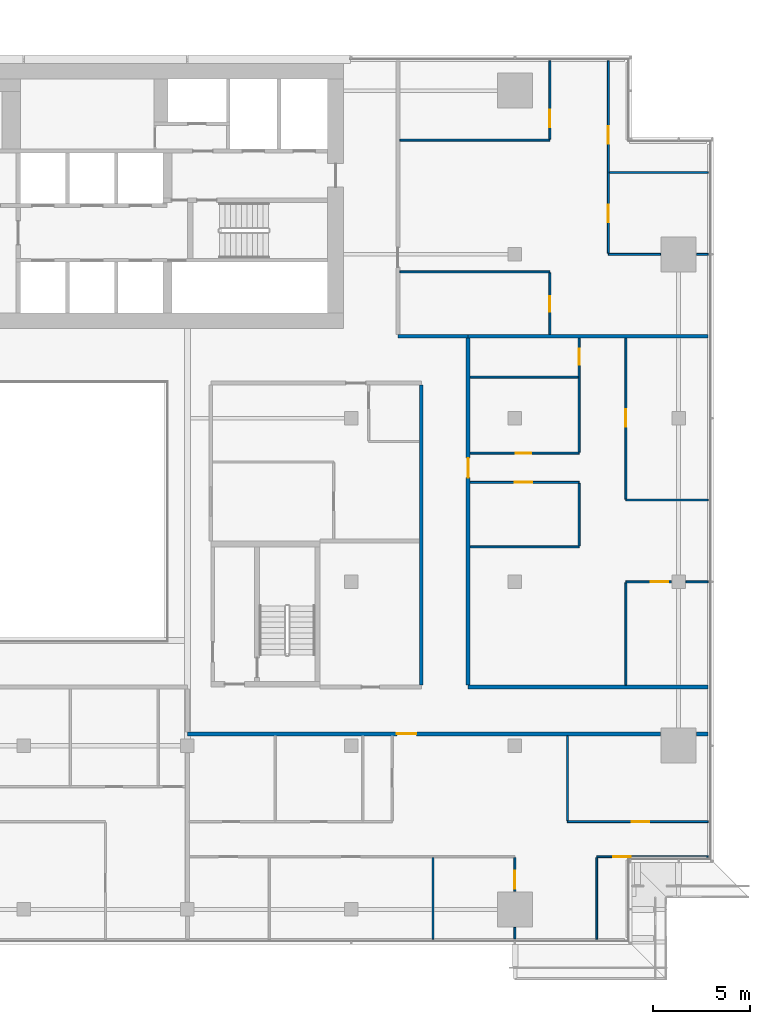
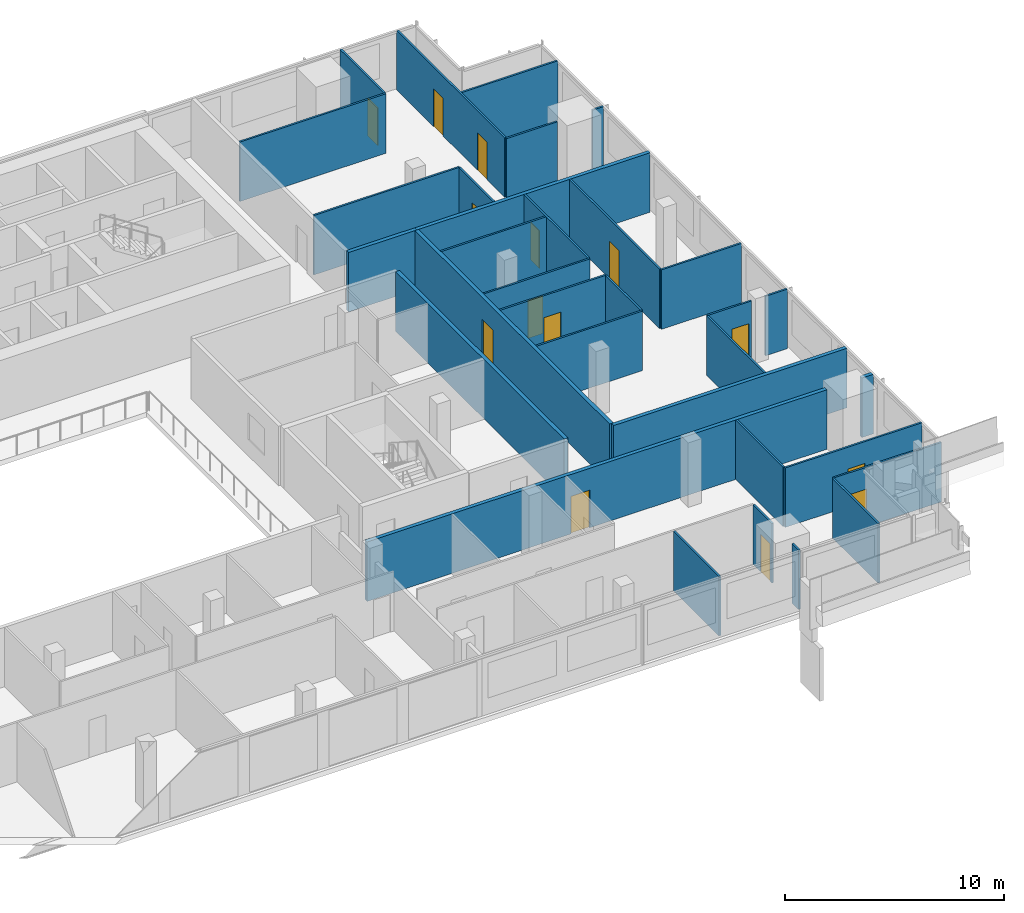
# One storey, part 24 of 30: 33 walls, 14 doors, 14 openings.
"""IFC4 building model written with IfcOpenShell, lengths in metres."""

import ifcopenshell
import ifcopenshell.guid

model = None  # the IFC model being written
_history = None  # IfcOwnerHistory: only IFC2X3 demands one
_inside = {}  # id of a spatial element -> (the spatial element, [elements in it])
_under = {}  # id of a project, library or spatial element -> (it, [spatial elements below it])
_declared = {}  # id of a project -> (the project, [libraries it declares])
_typed = {}  # id of a type object -> (the type object, [elements of that type])
_made_of = {}  # id of a material, layer set ... -> (it, [elements and type objects made of it])


def new_model(schema):
    """Start an empty IFC model of exactly this schema.

    Asked for "IFC4X3", IfcOpenShell would pick the latest addendum, in which some entities
    have other attributes; the version numbers below select the first issue.
    IFC2X3 requires an IfcOwnerHistory on every rooted entity: one is made here for all.
    """
    global model, _history
    if schema == "IFC4X3":
        model = ifcopenshell.file(schema_version=(4, 3, 0, 0))
    else:
        model = ifcopenshell.file(schema=schema)
    _inside.clear()
    _under.clear()
    _declared.clear()
    _typed.clear()
    _made_of.clear()
    _history = None
    if model.schema == "IFC2X3":
        org = make("IfcOrganization", Name="unknown")
        user = make(
            "IfcPersonAndOrganization",
            ThePerson=make("IfcPerson", FamilyName="unknown"),
            TheOrganization=org,
        )
        app = make(
            "IfcApplication",
            ApplicationDeveloper=org,
            Version="unknown",
            ApplicationFullName="unknown",
            ApplicationIdentifier="unknown",
        )
        _history = make(
            "IfcOwnerHistory",
            OwningUser=user,
            OwningApplication=app,
            ChangeAction="ADDED",
            CreationDate=0,
        )
    return model


def make(cls, **values):
    """One entity of the class cls with the attributes given. An attribute that is None is left unset."""
    return model.create_entity(
        cls, **{name: value for name, value in values.items() if value is not None}
    )


def rooted(cls, **values):
    """An entity with a GlobalId (a new one), such as an element, a storey or a relation."""
    return make(cls, GlobalId=ifcopenshell.guid.new(), OwnerHistory=_history, **values)


def si_unit(unit_type, name, prefix=None):
    """IfcSIUnit, for example si_unit("LENGTHUNIT", "METRE", prefix="MILLI")."""
    return make("IfcSIUnit", UnitType=unit_type, Prefix=prefix, Name=name)


def assignment(units):
    """IfcUnitAssignment: the units of a project."""
    return None if units is None else make("IfcUnitAssignment", Units=units)


def point(xyz):
    """IfcCartesianPoint."""
    return None if xyz is None else make("IfcCartesianPoint", Coordinates=xyz)


def direction(xyz):
    """IfcDirection."""
    return None if xyz is None else make("IfcDirection", DirectionRatios=xyz)


def frame(location, z_axis=None, x_axis=None):
    """IfcAxis2Placement3D, a coordinate frame: its origin and axes. An axis left out is left unset."""
    return make(
        "IfcAxis2Placement3D",
        Location=point(location),
        Axis=direction(z_axis),
        RefDirection=direction(x_axis),
    )


def frame_2d(location, x_axis=None):
    """IfcAxis2Placement2D, a coordinate frame in the plane: its origin and x axis."""
    return make(
        "IfcAxis2Placement2D", Location=point(location), RefDirection=direction(x_axis)
    )


def origin():
    """The frame at (0, 0, 0) with its axes left unset."""
    return frame((0.0, 0.0, 0.0))


def place(relative_to, where):
    """IfcLocalPlacement: puts the frame where relative to a parent placement (None: the world)."""
    return make(
        "IfcLocalPlacement", PlacementRelTo=relative_to, RelativePlacement=where
    )


def context(
    kind, dimensions, precision=None, world=None, true_north=None, identifier=None
):
    """IfcGeometricRepresentationContext, for example the 3D "Model" context."""
    return make(
        "IfcGeometricRepresentationContext",
        ContextIdentifier=identifier,
        ContextType=kind,
        CoordinateSpaceDimension=dimensions,
        Precision=precision,
        WorldCoordinateSystem=world,
        TrueNorth=true_north,
    )


def subcontext(parent, identifier, kind, view, scale=None):
    """IfcGeometricRepresentationSubContext, for example "Body" below "Model"."""
    return make(
        "IfcGeometricRepresentationSubContext",
        ContextIdentifier=identifier,
        ContextType=kind,
        ParentContext=parent,
        TargetScale=scale,
        TargetView=view,
    )


def project(units=None, contexts=None):
    """IfcProject with its units and contexts."""
    return rooted(
        "IfcProject",
        Name="project",
        RepresentationContexts=contexts,
        UnitsInContext=assignment(units),
    )


def spatial(cls, under=None, at=None, **own):
    """A site, building, storey or space (cls), placed at a placement, below another one or the project."""
    s = rooted(cls, ObjectPlacement=at, **own)
    if under is not None:
        _under.setdefault(under.id(), (under, []))[1].append(s)
    return s


def profile(cls, at=None, kind="AREA", **sizes):
    """A parametric profile (cls). Its sizes go by their IFC names, for example OverallWidth=200.0."""
    return make(cls, ProfileType=kind, Position=at, **sizes)


def rectangle(**sizes):
    """IfcRectangleProfileDef."""
    return profile("IfcRectangleProfileDef", **sizes)


def extrude(swept, where, along, depth):
    """IfcExtrudedAreaSolid: the profile swept, set in the frame where, extruded along a direction by depth."""
    return make(
        "IfcExtrudedAreaSolid",
        SweptArea=swept,
        Position=where,
        ExtrudedDirection=direction(along),
        Depth=depth,
    )


def shape(context_of_items, identifier, shape_type, items):
    """IfcShapeRepresentation: the items that make up one representation, for example the "Body"."""
    return make(
        "IfcShapeRepresentation",
        ContextOfItems=context_of_items,
        RepresentationIdentifier=identifier,
        RepresentationType=shape_type,
        Items=items,
    )


def material(Name=None, Category=None):
    """IfcMaterial."""
    return make("IfcMaterial", Name=Name, Category=Category)


def layer(
    of_material, thickness, ventilated=None, Name=None, Category=None, Priority=None
):
    """IfcMaterialLayer: one layer of a wall or slab, of a material (None: an air gap)."""
    return make(
        "IfcMaterialLayer",
        Material=of_material,
        LayerThickness=thickness,
        IsVentilated=ventilated,
        Name=Name,
        Category=Category,
        Priority=Priority,
    )


def layer_set(layers, Name=None):
    """IfcMaterialLayerSet."""
    return make("IfcMaterialLayerSet", MaterialLayers=layers, LayerSetName=Name)


def made_of(thing, what):
    """Note that an element or type object is made of a material, layer set ...; save() writes the relation."""
    if what is not None:
        _made_of.setdefault(what.id(), (what, []))[1].append(thing)
    return thing


def type_object(cls, material=None, **own):
    """A type object (cls), such as IfcWallType, which elements share."""
    return made_of(rooted(cls, **own), material)


def element(
    cls,
    number,
    at=None,
    inside=None,
    cuts=None,
    type_object=None,
    material=None,
    context=None,
    identifier="Body",
    shape_type=None,
    held_by="IfcProductDefinitionShape",
    body=None,
    shapes=None,
    **own,
):
    """One element of the class cls, such as IfcWall. Its Tag is "e" and its number.

    at: its placement. inside: the storey or other place that contains it. cuts: it is an
    opening in that element (IfcRelVoidsElement). A single representation is given by context,
    identifier, shape_type and body (its items); several are given by shapes. held_by: the class
    of the entity that holds the representations. save() writes the other relations.
    """
    e = rooted(cls, Tag="e%d" % number, ObjectPlacement=at, **own)
    if body is not None:
        shapes = [shape(context, identifier, shape_type, body)]
    if shapes is not None:
        e.Representation = make(held_by, Representations=shapes)
    if inside is not None:
        _inside.setdefault(inside.id(), (inside, []))[1].append(e)
    if cuts is not None:
        rooted(
            "IfcRelVoidsElement", RelatingBuildingElement=cuts, RelatedOpeningElement=e
        )
    if type_object is not None:
        _typed.setdefault(type_object.id(), (type_object, []))[1].append(e)
    return made_of(e, material)


def fill(opening, filler):
    """IfcRelFillsElement: the door or window that sits in an opening."""
    return rooted(
        "IfcRelFillsElement",
        RelatingOpeningElement=opening,
        RelatedBuildingElement=filler,
    )


def aggregate(whole, parts):
    """IfcRelAggregates: a whole, such as a stair, and the parts it consists of."""
    return rooted("IfcRelAggregates", RelatingObject=whole, RelatedObjects=parts)


def save(model, path):
    """Write the relations noted so far, then the file.

    IfcRelAggregates (storeys below a building ...), IfcRelContainedInSpatialStructure (elements
    in a storey), IfcRelDefinesByType, IfcRelAssociatesMaterial and IfcRelDeclares: one each for
    every whole, place, type object, material and project.
    """
    for whole, parts in _under.values():
        aggregate(whole, parts)
    for where, things in _inside.values():
        rooted(
            "IfcRelContainedInSpatialStructure",
            RelatedElements=things,
            RelatingStructure=where,
        )
    for kind, things in _typed.values():
        rooted("IfcRelDefinesByType", RelatedObjects=things, RelatingType=kind)
    for what, things in _made_of.values():
        rooted("IfcRelAssociatesMaterial", RelatedObjects=things, RelatingMaterial=what)
    for by, libraries in _declared.values():
        rooted("IfcRelDeclares", RelatingContext=by, RelatedDefinitions=libraries)
    model.write(path)


model = new_model("IFC4")

# Units and contexts
model_context = context("Model", 3, precision=1e-05, world=origin(), true_north=direction((0.0, 1.0)))
body_context = subcontext(model_context, "Body", "Model", "MODEL_VIEW")
ifc_project = project(units=[si_unit("LENGTHUNIT", "METRE"), si_unit("AREAUNIT", "SQUARE_METRE"), si_unit("VOLUMEUNIT", "CUBIC_METRE"), si_unit("PLANEANGLEUNIT", "RADIAN"), si_unit("MASSUNIT", "GRAM", prefix="KILO")], contexts=[model_context])

# Site, building, storey
site_placement = place(None, origin())
site = spatial("IfcSite", under=ifc_project, at=site_placement, CompositionType="ELEMENT")
building_placement = place(site_placement, origin())
building = spatial("IfcBuilding", under=site, at=building_placement, Name="Saffron Gate Tower", CompositionType="ELEMENT")
storey_placement = place(building_placement, frame((0.0, 0.0, 179.85009765625)))
storey = spatial("IfcBuildingStorey", under=building, at=storey_placement, Name="L44", CompositionType="ELEMENT", Elevation=179.85009765625)

# Wall, opening, door
ifc_material_1 = material(Name="Plasterboard on steel studs", Category="steel")
ifc_layer_1 = layer(ifc_material_1, 0.10009765625)
ifc_layer_set_1 = layer_set([ifc_layer_1], Name="PW1 Partition 100")
wall_type_1 = type_object("IfcWallType", Name="PW1 Partition 100", PredefinedType="PARTITIONING", material=ifc_layer_set_1)
wall_1_placement = place(storey_placement, frame((126.919921875, 34.5, 0.0), z_axis=(0.0, 0.0, 1.0), x_axis=(-1.0, 0.0, 0.0)))
wall_1 = element("IfcWall", 1, at=wall_1_placement, inside=storey, type_object=wall_type_1, Name="Partition C4-2", PredefinedType="PARTITIONING", context=body_context, shape_type="SweptSolid", body=[
    extrude(rectangle(XDim=5.719970703125, YDim=0.10009765625, at=frame_2d((2.85986328125, 0.0))), origin(), (0.0, 0.0, 1.0), 3.31982421875),
])
opening_1_placement = place(wall_1_placement, frame((3.96630859375, 0.0, 0.0)))
opening_1 = element("IfcOpeningElement", 2, at=opening_1_placement, cuts=wall_1, Name="Opening C4-23", PredefinedType="OPENING", context=body_context, shape_type="SweptSolid", body=[
    extrude(rectangle(XDim=0.89990234375, YDim=2.10009765625, at=frame_2d((0.449951171875, 1.050048828125))), frame((0.0, 0.06005859375, 0.0), z_axis=(0.0, -1.0, 0.0), x_axis=(1.0, 0.0, 0.0)), (0.0, 0.0, 1.0), 0.1201171875),
])
ifc_material_2 = material(Name="Timber door set", Category="wood")
door_type_1 = type_object("IfcDoorType", Name="RD1 Room door 900x2100", OperationType="NOTDEFINED", PredefinedType="DOOR", material=ifc_material_2)
door_1_placement = place(opening_1_placement, origin())
door_1 = element("IfcDoor", 3, at=door_1_placement, inside=storey, type_object=door_type_1, Name="Door C4-23", OperationType="SINGLE_SWING_RIGHT", OverallHeight=2.10009765625, OverallWidth=0.89990234375, PredefinedType="DOOR", context=body_context, shape_type="SweptSolid", body=[
    extrude(rectangle(XDim=0.89990234375, YDim=2.10009765625, at=frame_2d((0.449951171875, 1.050048828125))), frame((0.0, 0.02490234375, 0.0), z_axis=(0.0, -1.0, 0.0), x_axis=(1.0, 0.0, 0.0)), (0.0, 0.0, 1.0), 0.050048828125),
])
fill(opening_1, door_1)

wall_2_placement = place(storey_placement, frame((119.699951171875, 36.300048828125, 0.0), z_axis=(0.0, 0.0, 1.0), x_axis=(1.0, 0.0, 0.0)))
wall_2 = element("IfcWall", 4, at=wall_2_placement, inside=storey, type_object=wall_type_1, Name="Partition C4-7", PredefinedType="PARTITIONING", context=body_context, shape_type="SweptSolid", body=[
    extrude(rectangle(XDim=7.219970703125, YDim=0.10009765625, at=frame_2d((3.60986328125, 0.0))), origin(), (0.0, 0.0, 1.0), 3.31982421875),
])
opening_2_placement = place(wall_2_placement, frame((3.300048828125, 0.0, 0.0)))
opening_2 = element("IfcOpeningElement", 5, at=opening_2_placement, cuts=wall_2, Name="Opening C4-24", PredefinedType="OPENING", context=body_context, shape_type="SweptSolid", body=[
    extrude(rectangle(XDim=0.89990234375, YDim=2.10009765625, at=frame_2d((0.449951171875, 1.050048828125))), frame((0.0, 0.06005859375, 0.0), z_axis=(0.0, -1.0, 0.0), x_axis=(1.0, 0.0, 0.0)), (0.0, 0.0, 1.0), 0.1201171875),
])
door_2_placement = place(opening_2_placement, origin())
door_2 = element("IfcDoor", 6, at=door_2_placement, inside=storey, type_object=door_type_1, Name="Door C4-24", OperationType="SINGLE_SWING_RIGHT", OverallHeight=2.10009765625, OverallWidth=0.89990234375, PredefinedType="DOOR", context=body_context, shape_type="SweptSolid", body=[
    extrude(rectangle(XDim=0.89990234375, YDim=2.10009765625, at=frame_2d((0.449951171875, 1.050048828125))), frame((0.0, 0.02490234375, 0.0), z_axis=(0.0, -1.0, 0.0), x_axis=(1.0, 0.0, 0.0)), (0.0, 0.0, 1.0), 0.050048828125),
])
fill(opening_2, door_2)

wall_3_placement = place(storey_placement, frame((125.030029296875, 48.60009765625, 0.0), z_axis=(0.0, 0.0, 1.0), x_axis=(-1.0, 0.0, 0.0)))
wall_3 = element("IfcWall", 7, at=wall_3_placement, inside=storey, type_object=wall_type_1, Name="Partition C4-24", PredefinedType="PARTITIONING", context=body_context, shape_type="SweptSolid", body=[
    extrude(rectangle(XDim=2.330078125, YDim=0.10009765625, at=frame_2d((1.1650390625, 0.0))), origin(), (0.0, 0.0, 1.0), 3.31982421875),
])
opening_3_placement = place(wall_3_placement, frame((0.14990234375, 0.0, 0.0)))
opening_3 = element("IfcOpeningElement", 8, at=opening_3_placement, cuts=wall_3, Name="Opening C4-32", PredefinedType="OPENING", context=body_context, shape_type="SweptSolid", body=[
    extrude(rectangle(XDim=0.89990234375, YDim=2.10009765625, at=frame_2d((0.449951171875, 1.050048828125))), frame((0.0, 0.06005859375, 0.0), z_axis=(0.0, -1.0, 0.0), x_axis=(1.0, 0.0, 0.0)), (0.0, 0.0, 1.0), 0.1201171875),
])
door_3_placement = place(opening_3_placement, origin())
door_3 = element("IfcDoor", 9, at=door_3_placement, inside=storey, type_object=door_type_1, Name="Door C4-32", OperationType="SINGLE_SWING_LEFT", OverallHeight=2.10009765625, OverallWidth=0.89990234375, PredefinedType="DOOR", context=body_context, shape_type="SweptSolid", body=[
    extrude(rectangle(XDim=0.89990234375, YDim=2.10009765625, at=frame_2d((0.449951171875, 1.050048828125))), frame((0.0, 0.02490234375, 0.0), z_axis=(0.0, -1.0, 0.0), x_axis=(1.0, 0.0, 0.0)), (0.0, 0.0, 1.0), 0.050048828125),
])
fill(opening_3, door_3)

# Walls
wall_4_placement = place(storey_placement, frame((125.77001953125, 48.60009765625, 0.0), z_axis=(0.0, 0.0, 1.0), x_axis=(1.0, 0.0, 0.0)))
element("IfcWall", 10, at=wall_4_placement, inside=storey, type_object=wall_type_1, Name="Partition C4-25", PredefinedType="PARTITIONING", context=body_context, shape_type="SweptSolid", body=[
    extrude(rectangle(XDim=1.14990234375, YDim=0.10009765625, at=frame_2d((0.574951171875, 0.0))), origin(), (0.0, 0.0, 1.0), 3.31982421875),
])
wall_5_placement = place(storey_placement, frame((114.699951171875, 50.39306640625, 0.0), z_axis=(0.0, 0.0, 1.0), x_axis=(1.0, 0.0, 0.0)))
element("IfcWall", 11, at=wall_5_placement, inside=storey, type_object=wall_type_1, Name="Partition C4-26", PredefinedType="PARTITIONING", context=body_context, shape_type="SweptSolid", body=[
    extrude(rectangle(XDim=5.60009765625, YDim=0.10009765625, at=frame_2d((2.800048828125, 0.0))), origin(), (0.0, 0.0, 1.0), 3.31982421875),
])
wall_6_placement = place(storey_placement, frame((122.699951171875, 52.800048828125, 0.0), z_axis=(0.0, 0.0, 1.0), x_axis=(1.0, 0.0, 0.0)))
element("IfcWall", 12, at=wall_6_placement, inside=storey, type_object=wall_type_1, Name="Partition C4-30", PredefinedType="PARTITIONING", context=body_context, shape_type="SweptSolid", body=[
    extrude(rectangle(XDim=4.219970703125, YDim=0.10009765625, at=frame_2d((2.10986328125, 0.0))), origin(), (0.0, 0.0, 1.0), 3.31982421875),
])

# Wall, opening, door
wall_7_placement = place(storey_placement, frame((120.300048828125, 53.699951171875, 0.0), z_axis=(0.0, 0.0, 1.0), x_axis=(-1.0, 0.0, 0.0)))
wall_7 = element("IfcWall", 13, at=wall_7_placement, inside=storey, type_object=wall_type_1, Name="Partition C4-31", PredefinedType="PARTITIONING", context=body_context, shape_type="SweptSolid", body=[
    extrude(rectangle(XDim=5.60009765625, YDim=0.10009765625, at=frame_2d((2.800048828125, 0.0))), origin(), (0.0, 0.0, 1.0), 3.31982421875),
])
opening_4_placement = place(wall_7_placement, frame((2.39990234375, 0.0, 0.0)))
opening_4 = element("IfcOpeningElement", 14, at=opening_4_placement, cuts=wall_7, Name="Opening C4-34", PredefinedType="OPENING", context=body_context, shape_type="SweptSolid", body=[
    extrude(rectangle(XDim=0.89990234375, YDim=2.10009765625, at=frame_2d((0.449951171875, 1.050048828125))), frame((0.0, 0.06005859375, 0.0), z_axis=(0.0, -1.0, 0.0), x_axis=(1.0, 0.0, 0.0)), (0.0, 0.0, 1.0), 0.1201171875),
])
door_4_placement = place(opening_4_placement, origin())
door_4 = element("IfcDoor", 15, at=door_4_placement, inside=storey, type_object=door_type_1, Name="Door C4-34", OperationType="SINGLE_SWING_RIGHT", OverallHeight=2.10009765625, OverallWidth=0.89990234375, PredefinedType="DOOR", context=body_context, shape_type="SweptSolid", body=[
    extrude(rectangle(XDim=0.89990234375, YDim=2.10009765625, at=frame_2d((0.449951171875, 1.050048828125))), frame((0.0, 0.02490234375, 0.0), z_axis=(0.0, -1.0, 0.0), x_axis=(1.0, 0.0, 0.0)), (0.0, 0.0, 1.0), 0.050048828125),
])
fill(opening_4, door_4)

wall_8_placement = place(storey_placement, frame((114.699951171875, 55.199951171875, 0.0), z_axis=(0.0, 0.0, 1.0), x_axis=(1.0, 0.0, 0.0)))
wall_8 = element("IfcWall", 16, at=wall_8_placement, inside=storey, type_object=wall_type_1, Name="Partition C4-34", PredefinedType="PARTITIONING", context=body_context, shape_type="SweptSolid", body=[
    extrude(rectangle(XDim=5.60009765625, YDim=0.10009765625, at=frame_2d((2.800048828125, 0.0))), origin(), (0.0, 0.0, 1.0), 3.31982421875),
])
opening_5_placement = place(wall_8_placement, frame((2.35009765625, 0.0, 0.0)))
opening_5 = element("IfcOpeningElement", 17, at=opening_5_placement, cuts=wall_8, Name="Opening C4-49", PredefinedType="OPENING", context=body_context, shape_type="SweptSolid", body=[
    extrude(rectangle(XDim=0.800048828125, YDim=2.10009765625, at=frame_2d((0.39990234375, 1.050048828125))), frame((0.0, 0.06005859375, 0.0), z_axis=(0.0, -1.0, 0.0), x_axis=(1.0, 0.0, 0.0)), (0.0, 0.0, 1.0), 0.1201171875),
])
door_type_2 = type_object("IfcDoorType", Name="RD2 Bathroom door 800x2100", OperationType="NOTDEFINED", PredefinedType="DOOR", material=ifc_material_2)
door_5_placement = place(opening_5_placement, origin())
door_5 = element("IfcDoor", 18, at=door_5_placement, inside=storey, type_object=door_type_2, Name="Door C4-49", OperationType="SINGLE_SWING_LEFT", OverallHeight=2.10009765625, OverallWidth=0.800048828125, PredefinedType="DOOR", context=body_context, shape_type="SweptSolid", body=[
    extrude(rectangle(XDim=0.800048828125, YDim=2.10009765625, at=frame_2d((0.39990234375, 1.050048828125))), frame((0.0, 0.02490234375, 0.0), z_axis=(0.0, -1.0, 0.0), x_axis=(1.0, 0.0, 0.0)), (0.0, 0.0, 1.0), 0.050048828125),
])
fill(opening_5, door_5)

# Walls
wall_9_placement = place(storey_placement, frame((114.699951171875, 59.10009765625, 0.0), z_axis=(0.0, 0.0, 1.0), x_axis=(1.0, 0.0, 0.0)))
element("IfcWall", 19, at=wall_9_placement, inside=storey, type_object=wall_type_1, Name="Partition C4-41", PredefinedType="PARTITIONING", context=body_context, shape_type="SweptSolid", body=[
    extrude(rectangle(XDim=5.550048828125, YDim=0.10009765625, at=frame_2d((2.77490234375, 0.0))), origin(), (0.0, 0.0, 1.0), 3.31982421875),
])
wall_10_placement = place(storey_placement, frame((111.10009765625, 64.5, 0.0), z_axis=(0.0, 0.0, 1.0), x_axis=(1.0, 0.0, 0.0)))
element("IfcWall", 20, at=wall_10_placement, inside=storey, type_object=wall_type_1, Name="Partition C4-48", PredefinedType="PARTITIONING", context=body_context, shape_type="SweptSolid", body=[
    extrude(rectangle(XDim=7.699951171875, YDim=0.10009765625, at=frame_2d((3.85009765625, 0.0))), origin(), (0.0, 0.0, 1.0), 3.31982421875),
])
wall_11_placement = place(storey_placement, frame((121.800048828125, 65.39990234375, 0.0), z_axis=(0.0, 0.0, 1.0), x_axis=(1.0, 0.0, 0.0)))
element("IfcWall", 21, at=wall_11_placement, inside=storey, type_object=wall_type_1, Name="Partition C4-51", PredefinedType="PARTITIONING", context=body_context, shape_type="SweptSolid", body=[
    extrude(rectangle(XDim=2.679931640625, YDim=0.10009765625, at=frame_2d((1.33984375, 0.0))), origin(), (0.0, 0.0, 1.0), 3.31982421875),
])
wall_12_placement = place(storey_placement, frame((126.320068359375, 65.39990234375, 0.0), z_axis=(0.0, 0.0, 1.0), x_axis=(1.0, 0.0, 0.0)))
element("IfcWall", 22, at=wall_12_placement, inside=storey, type_object=wall_type_1, Name="Partition C4-52", PredefinedType="PARTITIONING", context=body_context, shape_type="SweptSolid", body=[
    extrude(rectangle(XDim=0.599853515625, YDim=0.10009765625, at=frame_2d((0.2998046875, 0.0))), origin(), (0.0, 0.0, 1.0), 3.31982421875),
])
wall_13_placement = place(storey_placement, frame((121.85009765625, 69.60009765625, 0.0), z_axis=(0.0, 0.0, 1.0), x_axis=(1.0, 0.0, 0.0)))
element("IfcWall", 23, at=wall_13_placement, inside=storey, type_object=wall_type_1, Name="Partition C4-54", PredefinedType="PARTITIONING", context=body_context, shape_type="SweptSolid", body=[
    extrude(rectangle(XDim=5.06982421875, YDim=0.10009765625, at=frame_2d((2.534912109375, 0.0))), origin(), (0.0, 0.0, 1.0), 3.31982421875),
])
wall_14_placement = place(storey_placement, frame((111.10009765625, 71.25634765625, 0.0), z_axis=(0.0, 0.0, 1.0), x_axis=(1.0, 0.0, 0.0)))
element("IfcWall", 24, at=wall_14_placement, inside=storey, type_object=wall_type_1, Name="Partition C4-56", PredefinedType="PARTITIONING", context=body_context, shape_type="SweptSolid", body=[
    extrude(rectangle(XDim=7.699951171875, YDim=0.10009765625, at=frame_2d((3.85009765625, 0.0))), origin(), (0.0, 0.0, 1.0), 3.31982421875),
])
wall_15_placement = place(storey_placement, frame((112.800048828125, 34.449951171875, 0.0), z_axis=(0.0, 0.0, 1.0), x_axis=(0.0, -1.0, 0.0)))
element("IfcWall", 25, at=wall_15_placement, inside=storey, type_object=wall_type_1, Name="Partition C4-102", PredefinedType="PARTITIONING", context=body_context, shape_type="SweptSolid", body=[
    extrude(rectangle(XDim=4.169921875, YDim=0.10009765625, at=frame_2d((2.0849609375, 0.0))), origin(), (0.0, 0.0, 1.0), 3.31982421875),
])
wall_16_placement = place(storey_placement, frame((117.0, 30.8798828125, 0.0), z_axis=(0.0, 0.0, 1.0), x_axis=(0.0, -1.0, 0.0)))
element("IfcWall", 26, at=wall_16_placement, inside=storey, type_object=wall_type_1, Name="Partition C4-104", PredefinedType="PARTITIONING", context=body_context, shape_type="SweptSolid", body=[
    extrude(rectangle(XDim=0.599853515625, YDim=0.10009765625, at=frame_2d((0.2998046875, 0.0))), origin(), (0.0, 0.0, 1.0), 3.31982421875),
])

# Wall, opening, door
wall_17_placement = place(storey_placement, frame((117.0, 32.719970703125, 0.0), z_axis=(0.0, 0.0, 1.0), x_axis=(0.0, 1.0, 0.0)))
wall_17 = element("IfcWall", 27, at=wall_17_placement, inside=storey, type_object=wall_type_1, Name="Partition C4-105", PredefinedType="PARTITIONING", context=body_context, shape_type="SweptSolid", body=[
    extrude(rectangle(XDim=1.72998046875, YDim=0.10009765625, at=frame_2d((0.864990234375, 0.0))), origin(), (0.0, 0.0, 1.0), 3.31982421875),
])
opening_6_placement = place(wall_17_placement, frame((0.14990234375, 0.0, 0.0)))
opening_6 = element("IfcOpeningElement", 28, at=opening_6_placement, cuts=wall_17, Name="Opening C4-22", PredefinedType="OPENING", context=body_context, shape_type="SweptSolid", body=[
    extrude(rectangle(XDim=0.89990234375, YDim=2.10009765625, at=frame_2d((0.449951171875, 1.050048828125))), frame((0.0, 0.06005859375, 0.0), z_axis=(0.0, -1.0, 0.0), x_axis=(1.0, 0.0, 0.0)), (0.0, 0.0, 1.0), 0.1201171875),
])
door_6_placement = place(opening_6_placement, origin())
door_6 = element("IfcDoor", 29, at=door_6_placement, inside=storey, type_object=door_type_1, Name="Door C4-22", OperationType="SINGLE_SWING_LEFT", OverallHeight=2.10009765625, OverallWidth=0.89990234375, PredefinedType="DOOR", context=body_context, shape_type="SweptSolid", body=[
    extrude(rectangle(XDim=0.89990234375, YDim=2.10009765625, at=frame_2d((0.449951171875, 1.050048828125))), frame((0.0, 0.02490234375, 0.0), z_axis=(0.0, -1.0, 0.0), x_axis=(1.0, 0.0, 0.0)), (0.0, 0.0, 1.0), 0.050048828125),
])
fill(opening_6, door_6)

wall_18_placement = place(storey_placement, frame((118.800048828125, 61.300048828125, 0.0), z_axis=(0.0, 0.0, 1.0), x_axis=(0.0, 1.0, 0.0)))
wall_18 = element("IfcWall", 30, at=wall_18_placement, inside=storey, type_object=wall_type_1, Name="Partition C4-106", PredefinedType="PARTITIONING", context=body_context, shape_type="SweptSolid", body=[
    extrude(rectangle(XDim=3.14990234375, YDim=0.10009765625, at=frame_2d((1.574951171875, 0.0))), origin(), (0.0, 0.0, 1.0), 3.31982421875),
])
opening_7_placement = place(wall_18_placement, frame((1.14990234375, 0.0, 0.0)))
opening_7 = element("IfcOpeningElement", 31, at=opening_7_placement, cuts=wall_18, Name="Opening C4-51", PredefinedType="OPENING", context=body_context, shape_type="SweptSolid", body=[
    extrude(rectangle(XDim=0.800048828125, YDim=2.10009765625, at=frame_2d((0.39990234375, 1.050048828125))), frame((0.0, 0.06005859375, 0.0), z_axis=(0.0, -1.0, 0.0), x_axis=(1.0, 0.0, 0.0)), (0.0, 0.0, 1.0), 0.1201171875),
])
door_7_placement = place(opening_7_placement, origin())
door_7 = element("IfcDoor", 32, at=door_7_placement, inside=storey, type_object=door_type_2, Name="Door C4-51", OperationType="SINGLE_SWING_LEFT", OverallHeight=2.10009765625, OverallWidth=0.800048828125, PredefinedType="DOOR", context=body_context, shape_type="SweptSolid", body=[
    extrude(rectangle(XDim=0.800048828125, YDim=2.10009765625, at=frame_2d((0.39990234375, 1.050048828125))), frame((0.0, 0.02490234375, 0.0), z_axis=(0.0, -1.0, 0.0), x_axis=(1.0, 0.0, 0.0)), (0.0, 0.0, 1.0), 0.050048828125),
])
fill(opening_7, door_7)

wall_19_placement = place(storey_placement, frame((118.800048828125, 71.306396484375, 0.0), z_axis=(0.0, 0.0, 1.0), x_axis=(0.0, 1.0, 0.0)))
wall_19 = element("IfcWall", 33, at=wall_19_placement, inside=storey, type_object=wall_type_1, Name="Partition C4-107", PredefinedType="PARTITIONING", context=body_context, shape_type="SweptSolid", body=[
    extrude(rectangle(XDim=4.013671875, YDim=0.10009765625, at=frame_2d((2.0068359375, 0.0))), origin(), (0.0, 0.0, 1.0), 3.31982421875),
])
opening_8_placement = place(wall_19_placement, frame((0.621826171875, 0.0, 0.0)))
opening_8 = element("IfcOpeningElement", 34, at=opening_8_placement, cuts=wall_19, Name="Opening C4-37", PredefinedType="OPENING", context=body_context, shape_type="SweptSolid", body=[
    extrude(rectangle(XDim=0.89990234375, YDim=2.10009765625, at=frame_2d((0.449951171875, 1.050048828125))), frame((0.0, 0.06005859375, 0.0), z_axis=(0.0, -1.0, 0.0), x_axis=(1.0, 0.0, 0.0)), (0.0, 0.0, 1.0), 0.1201171875),
])
door_8_placement = place(opening_8_placement, origin())
door_8 = element("IfcDoor", 35, at=door_8_placement, inside=storey, type_object=door_type_1, Name="Door C4-37", OperationType="SINGLE_SWING_LEFT", OverallHeight=2.10009765625, OverallWidth=0.89990234375, PredefinedType="DOOR", context=body_context, shape_type="SweptSolid", body=[
    extrude(rectangle(XDim=0.89990234375, YDim=2.10009765625, at=frame_2d((0.449951171875, 1.050048828125))), frame((0.0, 0.02490234375, 0.0), z_axis=(0.0, -1.0, 0.0), x_axis=(1.0, 0.0, 0.0)), (0.0, 0.0, 1.0), 0.050048828125),
])
fill(opening_8, door_8)

# Walls
wall_20_placement = place(storey_placement, frame((119.699951171875, 40.699951171875, 0.0), z_axis=(0.0, 0.0, 1.0), x_axis=(0.0, -1.0, 0.0)))
element("IfcWall", 36, at=wall_20_placement, inside=storey, type_object=wall_type_1, Name="Partition C4-108", PredefinedType="PARTITIONING", context=body_context, shape_type="SweptSolid", body=[
    extrude(rectangle(XDim=4.349853515625, YDim=0.10009765625, at=frame_2d((2.1748046875, 0.0))), origin(), (0.0, 0.0, 1.0), 3.31982421875),
])
wall_21_placement = place(storey_placement, frame((120.300048828125, 53.64990234375, 0.0), z_axis=(0.0, 0.0, 1.0), x_axis=(0.0, -1.0, 0.0)))
element("IfcWall", 37, at=wall_21_placement, inside=storey, type_object=wall_type_1, Name="Partition C4-109", PredefinedType="PARTITIONING", context=body_context, shape_type="SweptSolid", body=[
    extrude(rectangle(XDim=3.206787109375, YDim=0.10009765625, at=frame_2d((1.603515625, 0.0))), origin(), (0.0, 0.0, 1.0), 3.31982421875),
])

# Wall, opening, door
wall_22_placement = place(storey_placement, frame((120.300048828125, 55.25, 0.0), z_axis=(0.0, 0.0, 1.0), x_axis=(0.0, 1.0, 0.0)))
wall_22 = element("IfcWall", 38, at=wall_22_placement, inside=storey, type_object=wall_type_1, Name="Partition C4-110", PredefinedType="PARTITIONING", context=body_context, shape_type="SweptSolid", body=[
    extrude(rectangle(XDim=5.85009765625, YDim=0.10009765625, at=frame_2d((2.925048828125, 0.0))), origin(), (0.0, 0.0, 1.0), 3.31982421875),
])
opening_9_placement = place(wall_22_placement, frame((4.5, 0.0, 0.0)))
opening_9 = element("IfcOpeningElement", 39, at=opening_9_placement, cuts=wall_22, Name="Opening C4-50", PredefinedType="OPENING", context=body_context, shape_type="SweptSolid", body=[
    extrude(rectangle(XDim=0.800048828125, YDim=2.10009765625, at=frame_2d((0.39990234375, 1.050048828125))), frame((0.0, 0.06005859375, 0.0), z_axis=(0.0, -1.0, 0.0), x_axis=(1.0, 0.0, 0.0)), (0.0, 0.0, 1.0), 0.1201171875),
])
door_9_placement = place(opening_9_placement, origin())
door_9 = element("IfcDoor", 40, at=door_9_placement, inside=storey, type_object=door_type_2, Name="Door C4-50", OperationType="SINGLE_SWING_RIGHT", OverallHeight=2.10009765625, OverallWidth=0.800048828125, PredefinedType="DOOR", context=body_context, shape_type="SweptSolid", body=[
    extrude(rectangle(XDim=0.800048828125, YDim=2.10009765625, at=frame_2d((0.39990234375, 1.050048828125))), frame((0.0, 0.02490234375, 0.0), z_axis=(0.0, -1.0, 0.0), x_axis=(1.0, 0.0, 0.0)), (0.0, 0.0, 1.0), 0.050048828125),
])
fill(opening_9, door_9)

# Wall
wall_23_placement = place(storey_placement, frame((121.199951171875, 34.449951171875, 0.0), z_axis=(0.0, 0.0, 1.0), x_axis=(0.0, -1.0, 0.0)))
element("IfcWall", 41, at=wall_23_placement, inside=storey, type_object=wall_type_1, Name="Partition C4-111", PredefinedType="PARTITIONING", context=body_context, shape_type="SweptSolid", body=[
    extrude(rectangle(XDim=4.169921875, YDim=0.10009765625, at=frame_2d((2.0849609375, 0.0))), origin(), (0.0, 0.0, 1.0), 3.31982421875),
])

# Wall, openings, doors
wall_24_placement = place(storey_placement, frame((121.800048828125, 75.320068359375, 0.0), z_axis=(0.0, 0.0, 1.0), x_axis=(0.0, -1.0, 0.0)))
wall_24 = element("IfcWall", 42, at=wall_24_placement, inside=storey, type_object=wall_type_1, Name="Partition C4-112", PredefinedType="PARTITIONING", context=body_context, shape_type="SweptSolid", body=[
    extrude(rectangle(XDim=9.8701171875, YDim=0.10009765625, at=frame_2d((4.93505859375, 0.0))), origin(), (0.0, 0.0, 1.0), 3.31982421875),
])
opening_10_placement = place(wall_24_placement, frame((3.345703125, 0.0, 0.0)))
opening_10 = element("IfcOpeningElement", 43, at=opening_10_placement, cuts=wall_24, Name="Opening C4-36", PredefinedType="OPENING", context=body_context, shape_type="SweptSolid", body=[
    extrude(rectangle(XDim=0.89990234375, YDim=2.10009765625, at=frame_2d((0.449951171875, 1.050048828125))), frame((0.0, 0.06005859375, 0.0), z_axis=(0.0, -1.0, 0.0), x_axis=(1.0, 0.0, 0.0)), (0.0, 0.0, 1.0), 0.1201171875),
])
opening_11_placement = place(wall_24_placement, frame((7.3701171875, 0.0, 0.0)))
opening_11 = element("IfcOpeningElement", 44, at=opening_11_placement, cuts=wall_24, Name="Opening C4-35", PredefinedType="OPENING", context=body_context, shape_type="SweptSolid", body=[
    extrude(rectangle(XDim=0.89990234375, YDim=2.10009765625, at=frame_2d((0.449951171875, 1.050048828125))), frame((0.0, 0.06005859375, 0.0), z_axis=(0.0, -1.0, 0.0), x_axis=(1.0, 0.0, 0.0)), (0.0, 0.0, 1.0), 0.1201171875),
])
door_10_placement = place(opening_10_placement, origin())
door_10 = element("IfcDoor", 45, at=door_10_placement, inside=storey, type_object=door_type_1, Name="Door C4-36", OperationType="SINGLE_SWING_RIGHT", OverallHeight=2.10009765625, OverallWidth=0.89990234375, PredefinedType="DOOR", context=body_context, shape_type="SweptSolid", body=[
    extrude(rectangle(XDim=0.89990234375, YDim=2.10009765625, at=frame_2d((0.449951171875, 1.050048828125))), frame((0.0, 0.02490234375, 0.0), z_axis=(0.0, -1.0, 0.0), x_axis=(1.0, 0.0, 0.0)), (0.0, 0.0, 1.0), 0.050048828125),
])
fill(opening_10, door_10)
door_11_placement = place(opening_11_placement, origin())
door_11 = element("IfcDoor", 46, at=door_11_placement, inside=storey, type_object=door_type_1, Name="Door C4-35", OperationType="SINGLE_SWING_RIGHT", OverallHeight=2.10009765625, OverallWidth=0.89990234375, PredefinedType="DOOR", context=body_context, shape_type="SweptSolid", body=[
    extrude(rectangle(XDim=0.89990234375, YDim=2.10009765625, at=frame_2d((0.449951171875, 1.050048828125))), frame((0.0, 0.02490234375, 0.0), z_axis=(0.0, -1.0, 0.0), x_axis=(1.0, 0.0, 0.0)), (0.0, 0.0, 1.0), 0.050048828125),
])
fill(opening_11, door_11)

# Wall
wall_25_placement = place(storey_placement, frame((122.699951171875, 48.550048828125, 0.0), z_axis=(0.0, 0.0, 1.0), x_axis=(0.0, -1.0, 0.0)))
element("IfcWall", 47, at=wall_25_placement, inside=storey, type_object=wall_type_1, Name="Partition C4-113", PredefinedType="PARTITIONING", context=body_context, shape_type="SweptSolid", body=[
    extrude(rectangle(XDim=5.25, YDim=0.10009765625, at=frame_2d((2.625, 0.0))), origin(), (0.0, 0.0, 1.0), 3.31982421875),
])

# Wall, opening, door
wall_26_placement = place(storey_placement, frame((122.699951171875, 61.10009765625, 0.0), z_axis=(0.0, 0.0, 1.0), x_axis=(0.0, -1.0, 0.0)))
wall_26 = element("IfcWall", 48, at=wall_26_placement, inside=storey, type_object=wall_type_1, Name="Partition C4-114", PredefinedType="PARTITIONING", context=body_context, shape_type="SweptSolid", body=[
    extrude(rectangle(XDim=8.25, YDim=0.10009765625, at=frame_2d((4.125, 0.0))), origin(), (0.0, 0.0, 1.0), 3.31982421875),
])
opening_12_placement = place(wall_26_placement, frame((3.64990234375, 0.0, 0.0)))
opening_12 = element("IfcOpeningElement", 49, at=opening_12_placement, cuts=wall_26, Name="Opening C4-33", PredefinedType="OPENING", context=body_context, shape_type="SweptSolid", body=[
    extrude(rectangle(XDim=0.89990234375, YDim=2.10009765625, at=frame_2d((0.449951171875, 1.050048828125))), frame((0.0, 0.06005859375, 0.0), z_axis=(0.0, -1.0, 0.0), x_axis=(1.0, 0.0, 0.0)), (0.0, 0.0, 1.0), 0.1201171875),
])
door_12_placement = place(opening_12_placement, origin())
door_12 = element("IfcDoor", 50, at=door_12_placement, inside=storey, type_object=door_type_1, Name="Door C4-33", OperationType="SINGLE_SWING_LEFT", OverallHeight=2.10009765625, OverallWidth=0.89990234375, PredefinedType="DOOR", context=body_context, shape_type="SweptSolid", body=[
    extrude(rectangle(XDim=0.89990234375, YDim=2.10009765625, at=frame_2d((0.449951171875, 1.050048828125))), frame((0.0, 0.02490234375, 0.0), z_axis=(0.0, -1.0, 0.0), x_axis=(1.0, 0.0, 0.0)), (0.0, 0.0, 1.0), 0.050048828125),
])
fill(opening_12, door_12)

# Wall
ifc_material_3 = material(Name="Clay brick masonry, rendered", Category="masonry")
ifc_layer_2 = layer(ifc_material_3, 0.199951171875)
ifc_layer_set_2 = layer_set([ifc_layer_2], Name="PW2 Demising wall 200")
wall_type_2 = type_object("IfcWallType", Name="PW2 Demising wall 200", PredefinedType="PARTITIONING", material=ifc_layer_set_2)
wall_27_placement = place(storey_placement, frame((114.60009765625, 61.199951171875, 0.0), z_axis=(0.0, 0.0, 1.0), x_axis=(1.0, 0.0, 0.0)))
element("IfcWall", 51, at=wall_27_placement, inside=storey, type_object=wall_type_2, Name="Wall C4-46", PredefinedType="PARTITIONING", context=body_context, shape_type="SweptSolid", body=[
    extrude(rectangle(XDim=12.31982421875, YDim=0.199951171875, at=frame_2d((6.159912109375, 0.0))), origin(), (0.0, 0.0, 1.0), 3.31982421875),
])

# Wall, opening, door
ifc_layer_3 = layer(ifc_material_3, 0.199951171875)
ifc_layer_set_3 = layer_set([ifc_layer_3], Name="PW3 Corridor wall 200")
wall_type_3 = type_object("IfcWallType", Name="PW3 Corridor wall 200", PredefinedType="PARTITIONING", material=ifc_layer_set_3)
wall_28_placement = place(storey_placement, frame((124.47998046875, 40.800048828125, 0.0), z_axis=(0.0, 0.0, 1.0), x_axis=(-1.0, 0.0, 0.0)))
wall_28 = element("IfcWall", 52, at=wall_28_placement, inside=storey, type_object=wall_type_3, Name="Wall C4-14", PredefinedType="PARTITIONING", context=body_context, shape_type="SweptSolid", body=[
    extrude(rectangle(XDim=24.280029296875, YDim=0.199951171875, at=frame_2d((12.14013671875, 0.0))), origin(), (0.0, 0.0, 1.0), 3.31982421875),
])
opening_13_placement = place(wall_28_placement, frame((12.530029296875, 0.0, 0.0)))
opening_13 = element("IfcOpeningElement", 53, at=opening_13_placement, cuts=wall_28, Name="Opening C4-3", PredefinedType="OPENING", context=body_context, shape_type="SweptSolid", body=[
    extrude(rectangle(XDim=1.0, YDim=2.10009765625, at=frame_2d((0.5, 1.050048828125))), frame((0.0, 0.10986328125, 0.0), z_axis=(0.0, -1.0, 0.0), x_axis=(1.0, 0.0, 0.0)), (0.0, 0.0, 1.0), 0.219970703125),
])
ifc_material_4 = material(Name="Timber fire door set", Category="wood")
door_type_3 = type_object("IfcDoorType", Name="FD1 Flat entry door 1000x2100", OperationType="NOTDEFINED", PredefinedType="DOOR", material=ifc_material_4)
door_13_placement = place(opening_13_placement, origin())
door_13 = element("IfcDoor", 54, at=door_13_placement, inside=storey, type_object=door_type_3, Name="Door C4-3", OperationType="SINGLE_SWING_RIGHT", OverallHeight=2.10009765625, OverallWidth=1.0, PredefinedType="DOOR", context=body_context, shape_type="SweptSolid", body=[
    extrude(rectangle(XDim=1.0, YDim=2.10009765625, at=frame_2d((0.5, 1.050048828125))), frame((0.0, 0.02490234375, 0.0), z_axis=(0.0, -1.0, 0.0), x_axis=(1.0, 0.0, 0.0)), (0.0, 0.0, 1.0), 0.050048828125),
])
fill(opening_13, door_13)

# Walls
wall_29_placement = place(storey_placement, frame((126.320068359375, 40.800048828125, 0.0), z_axis=(0.0, 0.0, 1.0), x_axis=(1.0, 0.0, 0.0)))
element("IfcWall", 55, at=wall_29_placement, inside=storey, type_object=wall_type_3, Name="Wall C4-15", PredefinedType="PARTITIONING", context=body_context, shape_type="SweptSolid", body=[
    extrude(rectangle(XDim=0.599853515625, YDim=0.199951171875, at=frame_2d((0.2998046875, 0.0))), origin(), (0.0, 0.0, 1.0), 3.31982421875),
])
wall_30_placement = place(storey_placement, frame((114.60009765625, 43.199951171875, 0.0), z_axis=(0.0, 0.0, 1.0), x_axis=(1.0, 0.0, 0.0)))
element("IfcWall", 56, at=wall_30_placement, inside=storey, type_object=wall_type_3, Name="Wall C4-20", PredefinedType="PARTITIONING", context=body_context, shape_type="SweptSolid", body=[
    extrude(rectangle(XDim=12.31982421875, YDim=0.199951171875, at=frame_2d((6.159912109375, 0.0))), origin(), (0.0, 0.0, 1.0), 3.31982421875),
])
wall_31_placement = place(storey_placement, frame((111.0, 61.199951171875, 0.0), z_axis=(0.0, 0.0, 1.0), x_axis=(1.0, 0.0, 0.0)))
element("IfcWall", 57, at=wall_31_placement, inside=storey, type_object=wall_type_3, Name="Wall C4-44", PredefinedType="PARTITIONING", context=body_context, shape_type="SweptSolid", body=[
    extrude(rectangle(XDim=3.60009765625, YDim=0.199951171875, at=frame_2d((1.800048828125, 0.0))), origin(), (0.0, 0.0, 1.0), 3.31982421875),
])
wall_32_placement = place(storey_placement, frame((112.199951171875, 58.699951171875, 0.0), z_axis=(0.0, 0.0, 1.0), x_axis=(0.0, -1.0, 0.0)))
element("IfcWall", 58, at=wall_32_placement, inside=storey, type_object=wall_type_3, Name="Wall C4-101", PredefinedType="PARTITIONING", context=body_context, shape_type="SweptSolid", body=[
    extrude(rectangle(XDim=15.39990234375, YDim=0.199951171875, at=frame_2d((7.699951171875, 0.0))), origin(), (0.0, 0.0, 1.0), 3.31982421875),
])

# Wall, opening, door
wall_33_placement = place(storey_placement, frame((114.60009765625, 61.10009765625, 0.0), z_axis=(0.0, 0.0, 1.0), x_axis=(0.0, -1.0, 0.0)))
wall_33 = element("IfcWall", 59, at=wall_33_placement, inside=storey, type_object=wall_type_3, Name="Wall C4-103", PredefinedType="PARTITIONING", context=body_context, shape_type="SweptSolid", body=[
    extrude(rectangle(XDim=17.800048828125, YDim=0.199951171875, at=frame_2d((8.89990234375, 0.0))), origin(), (0.0, 0.0, 1.0), 3.31982421875),
])
opening_14_placement = place(wall_33_placement, frame((6.14990234375, 0.0, 0.0)))
opening_14 = element("IfcOpeningElement", 60, at=opening_14_placement, cuts=wall_33, Name="Opening C4-6", PredefinedType="OPENING", context=body_context, shape_type="SweptSolid", body=[
    extrude(rectangle(XDim=1.0, YDim=2.10009765625, at=frame_2d((0.5, 1.050048828125))), frame((0.0, 0.10986328125, 0.0), z_axis=(0.0, -1.0, 0.0), x_axis=(1.0, 0.0, 0.0)), (0.0, 0.0, 1.0), 0.219970703125),
])
door_14_placement = place(opening_14_placement, origin())
door_14 = element("IfcDoor", 61, at=door_14_placement, inside=storey, type_object=door_type_3, Name="Door C4-6", OperationType="SINGLE_SWING_LEFT", OverallHeight=2.10009765625, OverallWidth=1.0, PredefinedType="DOOR", context=body_context, shape_type="SweptSolid", body=[
    extrude(rectangle(XDim=1.0, YDim=2.10009765625, at=frame_2d((0.5, 1.050048828125))), frame((0.0, 0.02490234375, 0.0), z_axis=(0.0, -1.0, 0.0), x_axis=(1.0, 0.0, 0.0)), (0.0, 0.0, 1.0), 0.050048828125),
])
fill(opening_14, door_14)

save(model, "model.ifc")
